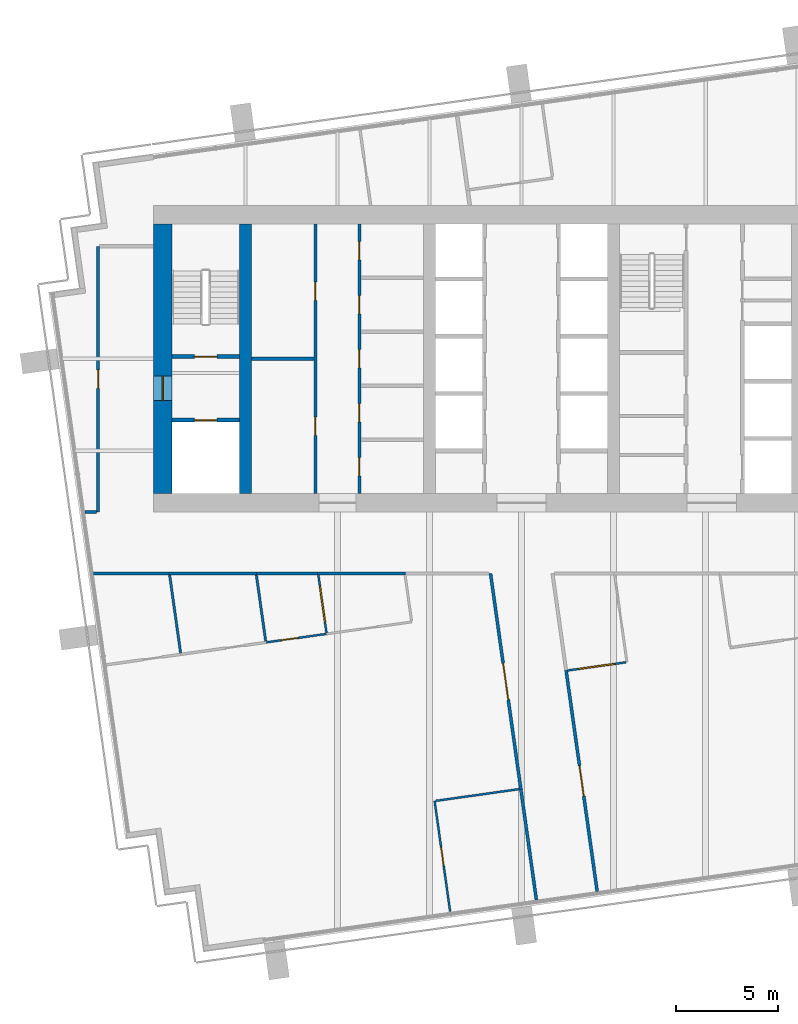
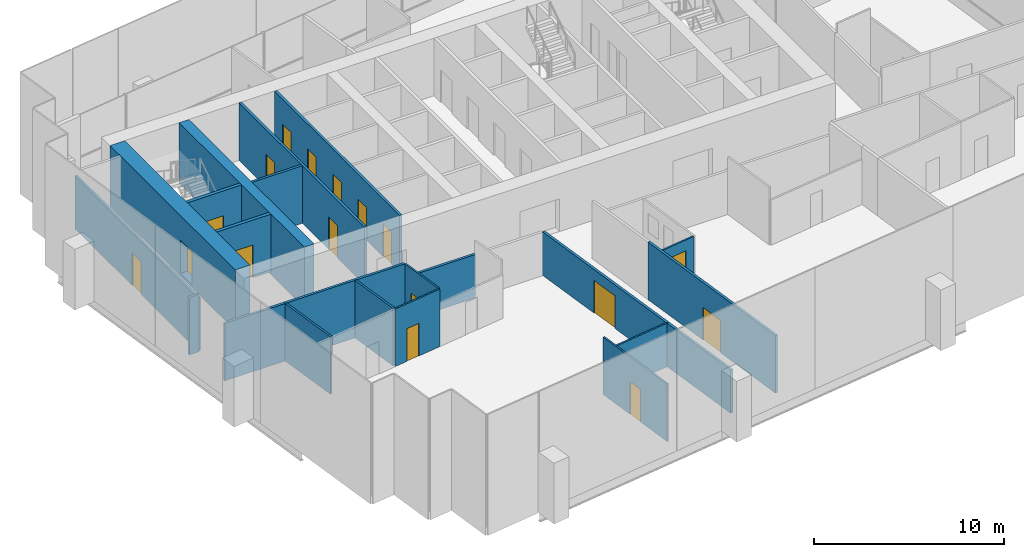
# One storey, part 9 of 17: 23 walls, 15 doors, 2 windows, 17 openings.
"""IFC4 building model written with IfcOpenShell, lengths in metres."""

import ifcopenshell
import ifcopenshell.guid

model = None  # the IFC model being written
_history = None  # IfcOwnerHistory: only IFC2X3 demands one
_inside = {}  # id of a spatial element -> (the spatial element, [elements in it])
_under = {}  # id of a project, library or spatial element -> (it, [spatial elements below it])
_declared = {}  # id of a project -> (the project, [libraries it declares])
_typed = {}  # id of a type object -> (the type object, [elements of that type])
_made_of = {}  # id of a material, layer set ... -> (it, [elements and type objects made of it])


def new_model(schema):
    """Start an empty IFC model of exactly this schema.

    Asked for "IFC4X3", IfcOpenShell would pick the latest addendum, in which some entities
    have other attributes; the version numbers below select the first issue.
    IFC2X3 requires an IfcOwnerHistory on every rooted entity: one is made here for all.
    """
    global model, _history
    if schema == "IFC4X3":
        model = ifcopenshell.file(schema_version=(4, 3, 0, 0))
    else:
        model = ifcopenshell.file(schema=schema)
    _inside.clear()
    _under.clear()
    _declared.clear()
    _typed.clear()
    _made_of.clear()
    _history = None
    if model.schema == "IFC2X3":
        org = make("IfcOrganization", Name="unknown")
        user = make(
            "IfcPersonAndOrganization",
            ThePerson=make("IfcPerson", FamilyName="unknown"),
            TheOrganization=org,
        )
        app = make(
            "IfcApplication",
            ApplicationDeveloper=org,
            Version="unknown",
            ApplicationFullName="unknown",
            ApplicationIdentifier="unknown",
        )
        _history = make(
            "IfcOwnerHistory",
            OwningUser=user,
            OwningApplication=app,
            ChangeAction="ADDED",
            CreationDate=0,
        )
    return model


def make(cls, **values):
    """One entity of the class cls with the attributes given. An attribute that is None is left unset."""
    return model.create_entity(
        cls, **{name: value for name, value in values.items() if value is not None}
    )


def rooted(cls, **values):
    """An entity with a GlobalId (a new one), such as an element, a storey or a relation."""
    return make(cls, GlobalId=ifcopenshell.guid.new(), OwnerHistory=_history, **values)


def si_unit(unit_type, name, prefix=None):
    """IfcSIUnit, for example si_unit("LENGTHUNIT", "METRE", prefix="MILLI")."""
    return make("IfcSIUnit", UnitType=unit_type, Prefix=prefix, Name=name)


def assignment(units):
    """IfcUnitAssignment: the units of a project."""
    return None if units is None else make("IfcUnitAssignment", Units=units)


def point(xyz):
    """IfcCartesianPoint."""
    return None if xyz is None else make("IfcCartesianPoint", Coordinates=xyz)


def direction(xyz):
    """IfcDirection."""
    return None if xyz is None else make("IfcDirection", DirectionRatios=xyz)


def frame(location, z_axis=None, x_axis=None):
    """IfcAxis2Placement3D, a coordinate frame: its origin and axes. An axis left out is left unset."""
    return make(
        "IfcAxis2Placement3D",
        Location=point(location),
        Axis=direction(z_axis),
        RefDirection=direction(x_axis),
    )


def frame_2d(location, x_axis=None):
    """IfcAxis2Placement2D, a coordinate frame in the plane: its origin and x axis."""
    return make(
        "IfcAxis2Placement2D", Location=point(location), RefDirection=direction(x_axis)
    )


def origin():
    """The frame at (0, 0, 0) with its axes left unset."""
    return frame((0.0, 0.0, 0.0))


def place(relative_to, where):
    """IfcLocalPlacement: puts the frame where relative to a parent placement (None: the world)."""
    return make(
        "IfcLocalPlacement", PlacementRelTo=relative_to, RelativePlacement=where
    )


def context(
    kind, dimensions, precision=None, world=None, true_north=None, identifier=None
):
    """IfcGeometricRepresentationContext, for example the 3D "Model" context."""
    return make(
        "IfcGeometricRepresentationContext",
        ContextIdentifier=identifier,
        ContextType=kind,
        CoordinateSpaceDimension=dimensions,
        Precision=precision,
        WorldCoordinateSystem=world,
        TrueNorth=true_north,
    )


def subcontext(parent, identifier, kind, view, scale=None):
    """IfcGeometricRepresentationSubContext, for example "Body" below "Model"."""
    return make(
        "IfcGeometricRepresentationSubContext",
        ContextIdentifier=identifier,
        ContextType=kind,
        ParentContext=parent,
        TargetScale=scale,
        TargetView=view,
    )


def project(units=None, contexts=None):
    """IfcProject with its units and contexts."""
    return rooted(
        "IfcProject",
        Name="project",
        RepresentationContexts=contexts,
        UnitsInContext=assignment(units),
    )


def spatial(cls, under=None, at=None, **own):
    """A site, building, storey or space (cls), placed at a placement, below another one or the project."""
    s = rooted(cls, ObjectPlacement=at, **own)
    if under is not None:
        _under.setdefault(under.id(), (under, []))[1].append(s)
    return s


def profile(cls, at=None, kind="AREA", **sizes):
    """A parametric profile (cls). Its sizes go by their IFC names, for example OverallWidth=200.0."""
    return make(cls, ProfileType=kind, Position=at, **sizes)


def rectangle(**sizes):
    """IfcRectangleProfileDef."""
    return profile("IfcRectangleProfileDef", **sizes)


def extrude(swept, where, along, depth):
    """IfcExtrudedAreaSolid: the profile swept, set in the frame where, extruded along a direction by depth."""
    return make(
        "IfcExtrudedAreaSolid",
        SweptArea=swept,
        Position=where,
        ExtrudedDirection=direction(along),
        Depth=depth,
    )


def shape(context_of_items, identifier, shape_type, items):
    """IfcShapeRepresentation: the items that make up one representation, for example the "Body"."""
    return make(
        "IfcShapeRepresentation",
        ContextOfItems=context_of_items,
        RepresentationIdentifier=identifier,
        RepresentationType=shape_type,
        Items=items,
    )


def material(Name=None, Category=None):
    """IfcMaterial."""
    return make("IfcMaterial", Name=Name, Category=Category)


def layer(
    of_material, thickness, ventilated=None, Name=None, Category=None, Priority=None
):
    """IfcMaterialLayer: one layer of a wall or slab, of a material (None: an air gap)."""
    return make(
        "IfcMaterialLayer",
        Material=of_material,
        LayerThickness=thickness,
        IsVentilated=ventilated,
        Name=Name,
        Category=Category,
        Priority=Priority,
    )


def layer_set(layers, Name=None):
    """IfcMaterialLayerSet."""
    return make("IfcMaterialLayerSet", MaterialLayers=layers, LayerSetName=Name)


def made_of(thing, what):
    """Note that an element or type object is made of a material, layer set ...; save() writes the relation."""
    if what is not None:
        _made_of.setdefault(what.id(), (what, []))[1].append(thing)
    return thing


def type_object(cls, material=None, **own):
    """A type object (cls), such as IfcWallType, which elements share."""
    return made_of(rooted(cls, **own), material)


def element(
    cls,
    number,
    at=None,
    inside=None,
    cuts=None,
    type_object=None,
    material=None,
    context=None,
    identifier="Body",
    shape_type=None,
    held_by="IfcProductDefinitionShape",
    body=None,
    shapes=None,
    **own,
):
    """One element of the class cls, such as IfcWall. Its Tag is "e" and its number.

    at: its placement. inside: the storey or other place that contains it. cuts: it is an
    opening in that element (IfcRelVoidsElement). A single representation is given by context,
    identifier, shape_type and body (its items); several are given by shapes. held_by: the class
    of the entity that holds the representations. save() writes the other relations.
    """
    e = rooted(cls, Tag="e%d" % number, ObjectPlacement=at, **own)
    if body is not None:
        shapes = [shape(context, identifier, shape_type, body)]
    if shapes is not None:
        e.Representation = make(held_by, Representations=shapes)
    if inside is not None:
        _inside.setdefault(inside.id(), (inside, []))[1].append(e)
    if cuts is not None:
        rooted(
            "IfcRelVoidsElement", RelatingBuildingElement=cuts, RelatedOpeningElement=e
        )
    if type_object is not None:
        _typed.setdefault(type_object.id(), (type_object, []))[1].append(e)
    return made_of(e, material)


def fill(opening, filler):
    """IfcRelFillsElement: the door or window that sits in an opening."""
    return rooted(
        "IfcRelFillsElement",
        RelatingOpeningElement=opening,
        RelatedBuildingElement=filler,
    )


def aggregate(whole, parts):
    """IfcRelAggregates: a whole, such as a stair, and the parts it consists of."""
    return rooted("IfcRelAggregates", RelatingObject=whole, RelatedObjects=parts)


def save(model, path):
    """Write the relations noted so far, then the file.

    IfcRelAggregates (storeys below a building ...), IfcRelContainedInSpatialStructure (elements
    in a storey), IfcRelDefinesByType, IfcRelAssociatesMaterial and IfcRelDeclares: one each for
    every whole, place, type object, material and project.
    """
    for whole, parts in _under.values():
        aggregate(whole, parts)
    for where, things in _inside.values():
        rooted(
            "IfcRelContainedInSpatialStructure",
            RelatedElements=things,
            RelatingStructure=where,
        )
    for kind, things in _typed.values():
        rooted("IfcRelDefinesByType", RelatedObjects=things, RelatingType=kind)
    for what, things in _made_of.values():
        rooted("IfcRelAssociatesMaterial", RelatedObjects=things, RelatingMaterial=what)
    for by, libraries in _declared.values():
        rooted("IfcRelDeclares", RelatingContext=by, RelatedDefinitions=libraries)
    model.write(path)


model = new_model("IFC4")

# Units and contexts
model_context = context("Model", 3, precision=1e-05, world=origin(), true_north=direction((0.0, 1.0)))
body_context = subcontext(model_context, "Body", "Model", "MODEL_VIEW")
ifc_project = project(units=[si_unit("LENGTHUNIT", "METRE"), si_unit("AREAUNIT", "SQUARE_METRE"), si_unit("VOLUMEUNIT", "CUBIC_METRE"), si_unit("PLANEANGLEUNIT", "RADIAN"), si_unit("MASSUNIT", "GRAM", prefix="KILO")], contexts=[model_context])

# Site, building, storey
site_placement = place(None, origin())
site = spatial("IfcSite", under=ifc_project, at=site_placement, CompositionType="ELEMENT")
building_placement = place(site_placement, origin())
building = spatial("IfcBuilding", under=site, at=building_placement, Name="Rattan Terrace Tower", CompositionType="ELEMENT")
storey_placement = place(building_placement, frame((0.0, 0.0, 225.199951171875)))
storey = spatial("IfcBuildingStorey", under=building, at=storey_placement, Name="L51", CompositionType="ELEMENT", Elevation=225.199951171875)

# Wall, openings, doors
ifc_material_1 = material(Name="Gypsum board partition")
ifc_layer_1 = layer(ifc_material_1, 0.14990234375)
ifc_layer_set_1 = layer_set([ifc_layer_1], Name="Core partition 150")
wall_type_1 = type_object("IfcWallType", Name="Core partition 150", PredefinedType="PARTITIONING", material=ifc_layer_set_1)
wall_1_placement = place(storey_placement, frame((-10.074951171875, -6.60009765625, 0.0), z_axis=(0.0, 0.0, 1.0), x_axis=(0.0, 1.0, 0.0)))
wall_1 = element("IfcWall", 1, at=wall_1_placement, inside=storey, type_object=wall_type_1, Name="Core room wall", PredefinedType="PARTITIONING", context=body_context, shape_type="SweptSolid", body=[
    extrude(rectangle(XDim=13.2001953125, YDim=0.14990234375, at=frame_2d((6.60009765625, 0.0))), origin(), (0.0, 0.0, 1.0), 3.699951171875),
])
opening_1_placement = place(wall_1_placement, frame((2.85009765625, 0.0, 0.0)))
opening_1 = element("IfcOpeningElement", 2, at=opening_1_placement, cuts=wall_1, Name="Opening L51-D005", PredefinedType="OPENING", context=body_context, shape_type="SweptSolid", body=[
    extrude(rectangle(XDim=0.89990234375, YDim=2.10009765625, at=frame_2d((0.449951171875, 1.050048828125))), frame((0.0, 0.08544921875, 0.0), z_axis=(0.0, -1.0, 0.0), x_axis=(1.0, 0.0, 0.0)), (0.0, 0.0, 1.0), 0.1708984375),
])
opening_2_placement = place(wall_1_placement, frame((9.449951171875, 0.0, 0.0)))
opening_2 = element("IfcOpeningElement", 3, at=opening_2_placement, cuts=wall_1, Name="Opening L51-D006", PredefinedType="OPENING", context=body_context, shape_type="SweptSolid", body=[
    extrude(rectangle(XDim=0.89990234375, YDim=2.10009765625, at=frame_2d((0.449951171875, 1.050048828125))), frame((0.0, 0.08544921875, 0.0), z_axis=(0.0, -1.0, 0.0), x_axis=(1.0, 0.0, 0.0)), (0.0, 0.0, 1.0), 0.1708984375),
])
ifc_material_2 = material(Name="Hollow-metal fire door leaf")
door_type_1 = type_object("IfcDoorType", Name="Core service room door 900", OperationType="NOTDEFINED", PredefinedType="DOOR", material=ifc_material_2)
door_1_placement = place(opening_1_placement, origin())
door_1 = element("IfcDoor", 4, at=door_1_placement, inside=storey, type_object=door_type_1, Name="Door L51-D005", OperationType="SINGLE_SWING_LEFT", OverallHeight=2.10009765625, OverallWidth=0.89990234375, PredefinedType="DOOR", context=body_context, shape_type="SweptSolid", body=[
    extrude(rectangle(XDim=0.89990234375, YDim=2.10009765625, at=frame_2d((0.449951171875, 1.050048828125))), frame((0.0, 0.02490234375, 0.0), z_axis=(0.0, -1.0, 0.0), x_axis=(1.0, 0.0, 0.0)), (0.0, 0.0, 1.0), 0.050048828125),
])
fill(opening_1, door_1)
door_2_placement = place(opening_2_placement, origin())
door_2 = element("IfcDoor", 5, at=door_2_placement, inside=storey, type_object=door_type_1, Name="Door L51-D006", OperationType="SINGLE_SWING_RIGHT", OverallHeight=2.10009765625, OverallWidth=0.89990234375, PredefinedType="DOOR", context=body_context, shape_type="SweptSolid", body=[
    extrude(rectangle(XDim=0.89990234375, YDim=2.10009765625, at=frame_2d((0.449951171875, 1.050048828125))), frame((0.0, 0.02490234375, 0.0), z_axis=(0.0, -1.0, 0.0), x_axis=(1.0, 0.0, 0.0)), (0.0, 0.0, 1.0), 0.050048828125),
])
fill(opening_2, door_2)

# Wall
wall_2_placement = place(storey_placement, frame((-13.199951171875, 0.0, 0.0), z_axis=(0.0, 0.0, 1.0), x_axis=(1.0, 0.0, 0.0)))
element("IfcWall", 6, at=wall_2_placement, inside=storey, type_object=wall_type_1, Name="Core room wall", PredefinedType="PARTITIONING", context=body_context, shape_type="SweptSolid", body=[
    extrude(rectangle(XDim=3.050048828125, YDim=0.14990234375, at=frame_2d((1.52490234375, 0.0))), origin(), (0.0, 0.0, 1.0), 3.699951171875),
])

# Wall, openings, doors
wall_3_placement = place(storey_placement, frame((-7.925048828125, -6.60009765625, 0.0), z_axis=(0.0, 0.0, 1.0), x_axis=(0.0, 1.0, 0.0)))
wall_3 = element("IfcWall", 7, at=wall_3_placement, inside=storey, type_object=wall_type_1, Name="Core room wall", PredefinedType="PARTITIONING", context=body_context, shape_type="SweptSolid", body=[
    extrude(rectangle(XDim=13.2001953125, YDim=0.14990234375, at=frame_2d((6.60009765625, 0.0))), origin(), (0.0, 0.0, 1.0), 3.699951171875),
])
opening_3_placement = place(wall_3_placement, frame((0.8701171875, 0.0, 0.0)))
opening_3 = element("IfcOpeningElement", 8, at=opening_3_placement, cuts=wall_3, Name="Opening L51-D007", PredefinedType="OPENING", context=body_context, shape_type="SweptSolid", body=[
    extrude(rectangle(XDim=0.89990234375, YDim=2.10009765625, at=frame_2d((0.449951171875, 1.050048828125))), frame((0.0, 0.08544921875, 0.0), z_axis=(0.0, -1.0, 0.0), x_axis=(1.0, 0.0, 0.0)), (0.0, 0.0, 1.0), 0.1708984375),
])
opening_4_placement = place(wall_3_placement, frame((3.510009765625, 0.0, 0.0)))
opening_4 = element("IfcOpeningElement", 9, at=opening_4_placement, cuts=wall_3, Name="Opening L51-D008", PredefinedType="OPENING", context=body_context, shape_type="SweptSolid", body=[
    extrude(rectangle(XDim=0.89990234375, YDim=2.10009765625, at=frame_2d((0.449951171875, 1.050048828125))), frame((0.0, 0.08544921875, 0.0), z_axis=(0.0, -1.0, 0.0), x_axis=(1.0, 0.0, 0.0)), (0.0, 0.0, 1.0), 0.1708984375),
])
opening_5_placement = place(wall_3_placement, frame((6.14990234375, 0.0, 0.0)))
opening_5 = element("IfcOpeningElement", 10, at=opening_5_placement, cuts=wall_3, Name="Opening L51-D009", PredefinedType="OPENING", context=body_context, shape_type="SweptSolid", body=[
    extrude(rectangle(XDim=0.89990234375, YDim=2.10009765625, at=frame_2d((0.449951171875, 1.050048828125))), frame((0.0, 0.08544921875, 0.0), z_axis=(0.0, -1.0, 0.0), x_axis=(1.0, 0.0, 0.0)), (0.0, 0.0, 1.0), 0.1708984375),
])
opening_6_placement = place(wall_3_placement, frame((8.7900390625, 0.0, 0.0)))
opening_6 = element("IfcOpeningElement", 11, at=opening_6_placement, cuts=wall_3, Name="Opening L51-D010", PredefinedType="OPENING", context=body_context, shape_type="SweptSolid", body=[
    extrude(rectangle(XDim=0.89990234375, YDim=2.10009765625, at=frame_2d((0.449951171875, 1.050048828125))), frame((0.0, 0.08544921875, 0.0), z_axis=(0.0, -1.0, 0.0), x_axis=(1.0, 0.0, 0.0)), (0.0, 0.0, 1.0), 0.1708984375),
])
opening_7_placement = place(wall_3_placement, frame((11.429931640625, 0.0, 0.0)))
opening_7 = element("IfcOpeningElement", 12, at=opening_7_placement, cuts=wall_3, Name="Opening L51-D011", PredefinedType="OPENING", context=body_context, shape_type="SweptSolid", body=[
    extrude(rectangle(XDim=0.89990234375, YDim=2.10009765625, at=frame_2d((0.449951171875, 1.050048828125))), frame((0.0, 0.08544921875, 0.0), z_axis=(0.0, -1.0, 0.0), x_axis=(1.0, 0.0, 0.0)), (0.0, 0.0, 1.0), 0.1708984375),
])
door_3_placement = place(opening_3_placement, origin())
door_3 = element("IfcDoor", 13, at=door_3_placement, inside=storey, type_object=door_type_1, Name="Door L51-D007", OperationType="SINGLE_SWING_LEFT", OverallHeight=2.10009765625, OverallWidth=0.89990234375, PredefinedType="DOOR", context=body_context, shape_type="SweptSolid", body=[
    extrude(rectangle(XDim=0.89990234375, YDim=2.10009765625, at=frame_2d((0.449951171875, 1.050048828125))), frame((0.0, 0.02490234375, 0.0), z_axis=(0.0, -1.0, 0.0), x_axis=(1.0, 0.0, 0.0)), (0.0, 0.0, 1.0), 0.050048828125),
])
fill(opening_3, door_3)
door_4_placement = place(opening_4_placement, origin())
door_4 = element("IfcDoor", 14, at=door_4_placement, inside=storey, type_object=door_type_1, Name="Door L51-D008", OperationType="SINGLE_SWING_RIGHT", OverallHeight=2.10009765625, OverallWidth=0.89990234375, PredefinedType="DOOR", context=body_context, shape_type="SweptSolid", body=[
    extrude(rectangle(XDim=0.89990234375, YDim=2.10009765625, at=frame_2d((0.449951171875, 1.050048828125))), frame((0.0, 0.02490234375, 0.0), z_axis=(0.0, -1.0, 0.0), x_axis=(1.0, 0.0, 0.0)), (0.0, 0.0, 1.0), 0.050048828125),
])
fill(opening_4, door_4)
door_5_placement = place(opening_5_placement, origin())
door_5 = element("IfcDoor", 15, at=door_5_placement, inside=storey, type_object=door_type_1, Name="Door L51-D009", OperationType="SINGLE_SWING_LEFT", OverallHeight=2.10009765625, OverallWidth=0.89990234375, PredefinedType="DOOR", context=body_context, shape_type="SweptSolid", body=[
    extrude(rectangle(XDim=0.89990234375, YDim=2.10009765625, at=frame_2d((0.449951171875, 1.050048828125))), frame((0.0, 0.02490234375, 0.0), z_axis=(0.0, -1.0, 0.0), x_axis=(1.0, 0.0, 0.0)), (0.0, 0.0, 1.0), 0.050048828125),
])
fill(opening_5, door_5)
door_6_placement = place(opening_6_placement, origin())
door_6 = element("IfcDoor", 16, at=door_6_placement, inside=storey, type_object=door_type_1, Name="Door L51-D010", OperationType="SINGLE_SWING_RIGHT", OverallHeight=2.10009765625, OverallWidth=0.89990234375, PredefinedType="DOOR", context=body_context, shape_type="SweptSolid", body=[
    extrude(rectangle(XDim=0.89990234375, YDim=2.10009765625, at=frame_2d((0.449951171875, 1.050048828125))), frame((0.0, 0.02490234375, 0.0), z_axis=(0.0, -1.0, 0.0), x_axis=(1.0, 0.0, 0.0)), (0.0, 0.0, 1.0), 0.050048828125),
])
fill(opening_6, door_6)
door_7_placement = place(opening_7_placement, origin())
door_7 = element("IfcDoor", 17, at=door_7_placement, inside=storey, type_object=door_type_1, Name="Door L51-D011", OperationType="SINGLE_SWING_LEFT", OverallHeight=2.10009765625, OverallWidth=0.89990234375, PredefinedType="DOOR", context=body_context, shape_type="SweptSolid", body=[
    extrude(rectangle(XDim=0.89990234375, YDim=2.10009765625, at=frame_2d((0.449951171875, 1.050048828125))), frame((0.0, 0.02490234375, 0.0), z_axis=(0.0, -1.0, 0.0), x_axis=(1.0, 0.0, 0.0)), (0.0, 0.0, 1.0), 0.050048828125),
])
fill(opening_7, door_7)

# Wall, opening, door
ifc_material_3 = material(Name="Gypsum board partition")
ifc_layer_2 = layer(ifc_material_3, 0.199951171875)
ifc_layer_set_2 = layer_set([ifc_layer_2], Name="Core partition 200")
wall_type_2 = type_object("IfcWallType", Name="Core partition 200", PredefinedType="PARTITIONING", material=ifc_layer_set_2)
wall_4_placement = place(storey_placement, frame((-17.10009765625, -3.0, 0.0), z_axis=(0.0, 0.0, 1.0), x_axis=(1.0, 0.0, 0.0)))
wall_4 = element("IfcWall", 18, at=wall_4_placement, inside=storey, type_object=wall_type_2, Name="Fire-fighting lobby wall", PredefinedType="PARTITIONING", context=body_context, shape_type="SweptSolid", body=[
    extrude(rectangle(XDim=3.300048828125, YDim=0.199951171875, at=frame_2d((1.64990234375, 0.0))), origin(), (0.0, 0.0, 1.0), 3.699951171875),
])
opening_8_placement = place(wall_4_placement, frame((1.10009765625, 0.0, 0.0)))
opening_8 = element("IfcOpeningElement", 19, at=opening_8_placement, cuts=wall_4, Name="Opening L51-LD-FF1", PredefinedType="OPENING", context=body_context, shape_type="SweptSolid", body=[
    extrude(rectangle(XDim=1.10009765625, YDim=2.10009765625, at=frame_2d((0.550048828125, 1.050048828125))), frame((0.0, 0.110595703125, 0.0), z_axis=(0.0, -1.0, 0.0), x_axis=(1.0, 0.0, 0.0)), (0.0, 0.0, 1.0), 0.220947265625),
])
ifc_material_4 = material(Name="Brushed stainless landing door panel")
door_type_2 = type_object("IfcDoorType", Name="Core lift landing door 1100", OperationType="DOUBLE_DOOR_SLIDING", PredefinedType="DOOR", material=ifc_material_4)
door_8_placement = place(opening_8_placement, origin())
door_8 = element("IfcDoor", 20, at=door_8_placement, inside=storey, type_object=door_type_2, Name="Door L51-LD-FF1", OperationType="DOUBLE_DOOR_SLIDING", OverallHeight=2.10009765625, OverallWidth=1.10009765625, PredefinedType="DOOR", context=body_context, shape_type="SweptSolid", body=[
    extrude(rectangle(XDim=1.10009765625, YDim=2.10009765625, at=frame_2d((0.550048828125, 1.050048828125))), frame((0.0, 0.02490234375, 0.0), z_axis=(0.0, -1.0, 0.0), x_axis=(1.0, 0.0, 0.0)), (0.0, 0.0, 1.0), 0.050048828125),
])
fill(opening_8, door_8)

wall_5_placement = place(storey_placement, frame((-17.10009765625, 0.10009765625, 0.0), z_axis=(0.0, 0.0, 1.0), x_axis=(1.0, 0.0, 0.0)))
wall_5 = element("IfcWall", 21, at=wall_5_placement, inside=storey, type_object=wall_type_2, Name="Stair enclosure wall", PredefinedType="PARTITIONING", context=body_context, shape_type="SweptSolid", body=[
    extrude(rectangle(XDim=3.300048828125, YDim=0.199951171875, at=frame_2d((1.64990234375, 0.0))), origin(), (0.0, 0.0, 1.0), 3.699951171875),
])
opening_9_placement = place(wall_5_placement, frame((1.10009765625, 0.0, 0.0)))
opening_9 = element("IfcOpeningElement", 22, at=opening_9_placement, cuts=wall_5, Name="Opening L51-D002", PredefinedType="OPENING", context=body_context, shape_type="SweptSolid", body=[
    extrude(rectangle(XDim=1.10009765625, YDim=2.10009765625, at=frame_2d((0.550048828125, 1.050048828125))), frame((0.0, 0.110595703125, 0.0), z_axis=(0.0, -1.0, 0.0), x_axis=(1.0, 0.0, 0.0)), (0.0, 0.0, 1.0), 0.220947265625),
])
ifc_material_5 = material(Name="Hollow-metal fire door leaf")
door_type_3 = type_object("IfcDoorType", Name="Core stair door 1100", OperationType="NOTDEFINED", PredefinedType="DOOR", material=ifc_material_5)
door_9_placement = place(opening_9_placement, origin())
door_9 = element("IfcDoor", 23, at=door_9_placement, inside=storey, type_object=door_type_3, Name="Door L51-D002", OperationType="SINGLE_SWING_RIGHT", OverallHeight=2.10009765625, OverallWidth=1.10009765625, PredefinedType="DOOR", context=body_context, shape_type="SweptSolid", body=[
    extrude(rectangle(XDim=1.10009765625, YDim=2.10009765625, at=frame_2d((0.550048828125, 1.050048828125))), frame((0.0, 0.02490234375, 0.0), z_axis=(0.0, -1.0, 0.0), x_axis=(1.0, 0.0, 0.0)), (0.0, 0.0, 1.0), 0.050048828125),
])
fill(opening_9, door_9)

ifc_material_6 = material(Name="Concrete C50/60", Category="concrete")
ifc_layer_3 = layer(ifc_material_6, 0.89990234375)
ifc_layer_set_3 = layer_set([ifc_layer_3], Name="Core ring wall 900 C50/60")
wall_type_3 = type_object("IfcWallType", Name="Core ring wall 900 C50/60", PredefinedType="SHEAR", material=ifc_layer_set_3)
wall_6_placement = place(storey_placement, frame((-17.550048828125, -6.60009765625, -0.199951171875), z_axis=(0.0, 0.0, 1.0), x_axis=(0.0, 1.0, 0.0)))
wall_6 = element("IfcWall", 24, at=wall_6_placement, inside=storey, type_object=wall_type_3, Name="Rear core wall west", PredefinedType="SHEAR", context=body_context, shape_type="SweptSolid", body=[
    extrude(rectangle(XDim=13.2001953125, YDim=0.89990234375, at=frame_2d((6.60009765625, 0.0))), origin(), (0.0, 0.0, 1.0), 3.89990234375),
])
opening_10_placement = place(wall_6_placement, frame((4.550048828125, 0.0, 0.199951171875)))
opening_10 = element("IfcOpeningElement", 25, at=opening_10_placement, cuts=wall_6, Name="Opening L51-D001", PredefinedType="OPENING", context=body_context, shape_type="SweptSolid", body=[
    extrude(rectangle(XDim=1.199951171875, YDim=2.10009765625, at=frame_2d((0.60009765625, 1.050048828125))), frame((0.0, 0.46044921875, 0.0), z_axis=(0.0, -1.0, 0.0), x_axis=(1.0, 0.0, 0.0)), (0.0, 0.0, 1.0), 0.9208984375),
])
ifc_material_7 = material(Name="Hollow-metal fire door leaf")
door_type_4 = type_object("IfcDoorType", Name="Core fire-fighting lobby door 1200", OperationType="NOTDEFINED", PredefinedType="DOOR", material=ifc_material_7)
door_10_placement = place(opening_10_placement, origin())
door_10 = element("IfcDoor", 26, at=door_10_placement, inside=storey, type_object=door_type_4, Name="Door L51-D001", OperationType="SINGLE_SWING_LEFT", OverallHeight=2.10009765625, OverallWidth=1.199951171875, PredefinedType="DOOR", context=body_context, shape_type="SweptSolid", body=[
    extrude(rectangle(XDim=1.199951171875, YDim=2.10009765625, at=frame_2d((0.60009765625, 1.050048828125))), frame((0.0, 0.02490234375, 0.0), z_axis=(0.0, -1.0, 0.0), x_axis=(1.0, 0.0, 0.0)), (0.0, 0.0, 1.0), 0.050048828125),
])
fill(opening_10, door_10)

# Wall
ifc_material_8 = material(Name="Concrete C50/60", Category="concrete")
ifc_layer_4 = layer(ifc_material_8, 0.60009765625)
ifc_layer_set_4 = layer_set([ifc_layer_4], Name="Core spine wall 600 C50/60")
wall_type_4 = type_object("IfcWallType", Name="Core spine wall 600 C50/60", PredefinedType="SHEAR", material=ifc_layer_set_4)
wall_7_placement = place(storey_placement, frame((-13.5, -6.60009765625, -0.199951171875), z_axis=(0.0, 0.0, 1.0), x_axis=(0.0, 1.0, 0.0)))
element("IfcWall", 27, at=wall_7_placement, inside=storey, type_object=wall_type_4, Name="Core spine wall 1", PredefinedType="SHEAR", context=body_context, shape_type="SweptSolid", body=[
    extrude(rectangle(XDim=13.2001953125, YDim=0.60009765625, at=frame_2d((6.60009765625, 0.0))), origin(), (0.0, 0.0, 1.0), 3.89990234375),
])

# Wall, opening, door
ifc_material_9 = material(Name="Gypsum board partition on steel studs", Category="steel")
ifc_layer_5 = layer(ifc_material_9, 0.10009765625)
ifc_layer_set_5 = layer_set([ifc_layer_5], Name="Floors Partition 100")
wall_type_5 = type_object("IfcWallType", Name="Floors Partition 100", PredefinedType="PARTITIONING", material=ifc_layer_set_5)
wall_8_placement = place(storey_placement, frame((-4.2490234375, -21.625, 0.0), z_axis=(0.0, 0.0, 1.0), x_axis=(0.13906298859, -0.990283537783, 0.0)))
wall_8 = element("IfcWall", 28, at=wall_8_placement, inside=storey, type_object=wall_type_5, Name="pt-L51-025", PredefinedType="PARTITIONING", context=body_context, shape_type="SweptSolid", body=[
    extrude(rectangle(XDim=5.479248046875, YDim=0.10009765625, at=frame_2d((2.73974609375, 0.0))), origin(), (0.0, 0.0, 1.0), 3.699951171875),
])
opening_11_placement = place(wall_8_placement, frame((2.2900390625, 0.0, 0.0)))
opening_11 = element("IfcOpeningElement", 29, at=opening_11_placement, cuts=wall_8, Name="Opening L51-D101", PredefinedType="OPENING", context=body_context, shape_type="SweptSolid", body=[
    extrude(rectangle(XDim=0.89990234375, YDim=2.10009765625, at=frame_2d((0.449951171875, 1.050048828125))), frame((0.0, 0.060546875, 0.0), z_axis=(0.0, -1.0, 0.0), x_axis=(1.0, 0.0, 0.0)), (0.0, 0.0, 1.0), 0.12109375),
])
ifc_material_10 = material(Name="Solid core timber door, painted", Category="wood")
door_type_5 = type_object("IfcDoorType", Name="Floors Door 900x2100", OperationType="NOTDEFINED", PredefinedType="DOOR", material=ifc_material_10)
door_11_placement = place(opening_11_placement, origin())
door_11 = element("IfcDoor", 30, at=door_11_placement, inside=storey, type_object=door_type_5, Name="d-L51-101", OperationType="SINGLE_SWING_RIGHT", OverallHeight=2.10009765625, OverallWidth=0.89990234375, PredefinedType="DOOR", context=body_context, shape_type="SweptSolid", body=[
    extrude(rectangle(XDim=0.89990234375, YDim=2.10009765625, at=frame_2d((0.449951171875, 1.050048828125))), frame((0.0, 0.02490234375, 0.0), z_axis=(0.0, -1.0, 0.0), x_axis=(1.0, 0.0, 0.0)), (0.0, 0.0, 1.0), 0.050048828125),
])
fill(opening_11, door_11)

# Wall
wall_9_placement = place(storey_placement, frame((-0.10888671875, -21.04296875, 0.0), z_axis=(0.0, 0.0, 1.0), x_axis=(-0.990263837068, -0.139203207563, 0.0)))
element("IfcWall", 31, at=wall_9_placement, inside=storey, type_object=wall_type_5, Name="pt-L51-026", PredefinedType="PARTITIONING", context=body_context, shape_type="SweptSolid", body=[
    extrude(rectangle(XDim=4.13037109375, YDim=0.10009765625, at=frame_2d((2.065185546875, 0.0))), origin(), (0.0, 0.0, 1.0), 2.800048828125),
])

# Wall, opening, door
wall_10_placement = place(storey_placement, frame((-12.47998046875, -13.867919921875, 0.0), z_axis=(0.0, 0.0, 1.0), x_axis=(0.990270259545, 0.139157511691, 0.0)))
wall_10 = element("IfcWall", 32, at=wall_10_placement, inside=storey, type_object=wall_type_5, Name="pt-L51-029", PredefinedType="PARTITIONING", context=body_context, shape_type="SweptSolid", body=[
    extrude(rectangle(XDim=2.959716796875, YDim=0.10009765625, at=frame_2d((1.47998046875, 0.0))), origin(), (0.0, 0.0, 1.0), 3.699951171875),
])
opening_12_placement = place(wall_10_placement, frame((0.748046875, 0.0, 0.0)))
opening_12 = element("IfcOpeningElement", 33, at=opening_12_placement, cuts=wall_10, Name="Opening L51-D104", PredefinedType="OPENING", context=body_context, shape_type="SweptSolid", body=[
    extrude(rectangle(XDim=0.800048828125, YDim=2.10009765625, at=frame_2d((0.39990234375, 1.050048828125))), frame((0.0, 0.060546875, 0.0), z_axis=(0.0, -1.0, 0.0), x_axis=(1.0, 0.0, 0.0)), (0.0, 0.0, 1.0), 0.12109375),
])
ifc_material_11 = material(Name="Solid core timber door, painted", Category="wood")
door_type_6 = type_object("IfcDoorType", Name="Floors Store Door 800x2100", OperationType="NOTDEFINED", PredefinedType="DOOR", material=ifc_material_11)
door_12_placement = place(opening_12_placement, origin())
door_12 = element("IfcDoor", 34, at=door_12_placement, inside=storey, type_object=door_type_6, Name="d-L51-104", OperationType="SINGLE_SWING_LEFT", OverallHeight=2.10009765625, OverallWidth=0.800048828125, PredefinedType="DOOR", context=body_context, shape_type="SweptSolid", body=[
    extrude(rectangle(XDim=0.800048828125, YDim=2.10009765625, at=frame_2d((0.39990234375, 1.050048828125))), frame((0.0, 0.02490234375, 0.0), z_axis=(0.0, -1.0, 0.0), x_axis=(1.0, 0.0, 0.0)), (0.0, 0.0, 1.0), 0.050048828125),
])
fill(opening_12, door_12)

# Wall, opening, window
wall_11_placement = place(storey_placement, frame((-9.93408203125, -10.568115234375, 0.0), z_axis=(0.0, 0.0, 1.0), x_axis=(0.139092802353, -0.990279350655, 0.0)))
wall_11 = element("IfcWall", 35, at=wall_11_placement, inside=storey, type_object=wall_type_5, Name="pt-L51-034", PredefinedType="PARTITIONING", context=body_context, shape_type="SweptSolid", body=[
    extrude(rectangle(XDim=2.86279296875, YDim=0.10009765625, at=frame_2d((1.431396484375, 0.0))), origin(), (0.0, 0.0, 1.0), 3.699951171875),
])
opening_13_placement = place(wall_11_placement, frame((0.5400390625, 0.0, 0.89990234375)))
opening_13 = element("IfcOpeningElement", 36, at=opening_13_placement, cuts=wall_11, Name="Opening L51-W100", PredefinedType="OPENING", context=body_context, shape_type="SweptSolid", body=[
    extrude(rectangle(XDim=1.800048828125, YDim=1.199951171875, at=frame_2d((0.89990234375, 0.60009765625))), frame((0.0, 0.060546875, 0.0), z_axis=(0.0, -1.0, 0.0), x_axis=(1.0, 0.0, 0.0)), (0.0, 0.0, 1.0), 0.12109375),
])
ifc_material_12 = material(Name="Glass, clear, fixed in aluminium frame", Category="aluminium")
window_type = type_object("IfcWindowType", Name="Interior Vision Window 1800x1200", PartitioningType="SINGLE_PANEL", PredefinedType="WINDOW", material=ifc_material_12)
window_1_placement = place(opening_13_placement, origin())
window_1 = element("IfcWindow", 37, at=window_1_placement, inside=storey, type_object=window_type, Name="w-L51-100", OverallHeight=1.199951171875, OverallWidth=1.800048828125, PartitioningType="SINGLE_PANEL", PredefinedType="WINDOW", context=body_context, shape_type="SweptSolid", body=[
    extrude(rectangle(XDim=1.800048828125, YDim=1.199951171875, at=frame_2d((0.89990234375, 0.60009765625))), frame((0.0, 0.030029296875, 0.0), z_axis=(0.0, -1.0, 0.0), x_axis=(1.0, 0.0, 0.0)), (0.0, 0.0, 1.0), 0.06005859375),
])
fill(opening_13, window_1)

wall_12_placement = place(storey_placement, frame((2.258056640625, -15.242919921875, 0.0), z_axis=(0.0, 0.0, 1.0), x_axis=(0.990271399447, 0.139149399699, 0.0)))
wall_12 = element("IfcWall", 38, at=wall_12_placement, inside=storey, type_object=wall_type_5, Name="pt-L51-035", PredefinedType="PARTITIONING", context=body_context, shape_type="SweptSolid", body=[
    extrude(rectangle(XDim=2.8740234375, YDim=0.10009765625, at=frame_2d((1.43701171875, 0.0))), origin(), (0.0, 0.0, 1.0), 2.800048828125),
])
opening_14_placement = place(wall_12_placement, frame((0.537109375, 0.0, 0.89990234375)))
opening_14 = element("IfcOpeningElement", 39, at=opening_14_placement, cuts=wall_12, Name="Opening L51-W101", PredefinedType="OPENING", context=body_context, shape_type="SweptSolid", body=[
    extrude(rectangle(XDim=1.800048828125, YDim=1.199951171875, at=frame_2d((0.89990234375, 0.60009765625))), frame((0.0, 0.060546875, 0.0), z_axis=(0.0, -1.0, 0.0), x_axis=(1.0, 0.0, 0.0)), (0.0, 0.0, 1.0), 0.12109375),
])
window_2_placement = place(opening_14_placement, origin())
window_2 = element("IfcWindow", 40, at=window_2_placement, inside=storey, type_object=window_type, Name="w-L51-101", OverallHeight=1.199951171875, OverallWidth=1.800048828125, PartitioningType="SINGLE_PANEL", PredefinedType="WINDOW", context=body_context, shape_type="SweptSolid", body=[
    extrude(rectangle(XDim=1.800048828125, YDim=1.199951171875, at=frame_2d((0.89990234375, 0.60009765625))), frame((0.0, 0.030029296875, 0.0), z_axis=(0.0, -1.0, 0.0), x_axis=(1.0, 0.0, 0.0)), (0.0, 0.0, 1.0), 0.06005859375),
])
fill(opening_14, window_2)

# Wall, opening, door
ifc_material_13 = material(Name="Gypsum board partition on steel studs, fire rated", Category="steel")
ifc_layer_6 = layer(ifc_material_13, 0.14990234375)
ifc_layer_set_6 = layer_set([ifc_layer_6], Name="Floors Tenancy Wall 150")
wall_type_6 = type_object("IfcWallType", Name="Floors Tenancy Wall 150", PredefinedType="PARTITIONING", material=ifc_layer_set_6)
wall_13_placement = place(storey_placement, frame((-0.031982421875, -21.052978515625, 0.0), z_axis=(0.0, 0.0, 1.0), x_axis=(-0.139153385275, 0.9902708394, 0.0)))
wall_13 = element("IfcWall", 41, at=wall_13_placement, inside=storey, type_object=wall_type_6, Name="pt-L51-002", PredefinedType="PARTITIONING", context=body_context, shape_type="SweptSolid", body=[
    extrude(rectangle(XDim=10.65673828125, YDim=0.14990234375, at=frame_2d((5.328369140625, 0.0))), origin(), (0.0, 0.0, 1.0), 2.800048828125),
])
opening_15_placement = place(wall_13_placement, frame((4.427978515625, 0.0, 0.0)))
opening_15 = element("IfcOpeningElement", 42, at=opening_15_placement, cuts=wall_13, Name="Opening L51-D100", PredefinedType="OPENING", context=body_context, shape_type="SweptSolid", body=[
    extrude(rectangle(XDim=1.800048828125, YDim=2.10009765625, at=frame_2d((0.89990234375, 1.050048828125))), frame((0.0, 0.08544921875, 0.0), z_axis=(0.0, -1.0, 0.0), x_axis=(1.0, 0.0, 0.0)), (0.0, 0.0, 1.0), 0.1708984375),
])
ifc_material_14 = material(Name="Steel fire door set", Category="steel")
door_type_7 = type_object("IfcDoorType", Name="Floors Fire Door Pair FD30S 1800x2100", OperationType="NOTDEFINED", PredefinedType="DOOR", material=ifc_material_14)
door_13_placement = place(opening_15_placement, origin())
door_13 = element("IfcDoor", 43, at=door_13_placement, inside=storey, type_object=door_type_7, Name="d-L51-100", OperationType="DOUBLE_DOOR_SINGLE_SWING", OverallHeight=2.10009765625, OverallWidth=1.800048828125, PredefinedType="DOOR", context=body_context, shape_type="SweptSolid", body=[
    extrude(rectangle(XDim=1.800048828125, YDim=2.10009765625, at=frame_2d((0.89990234375, 1.050048828125))), frame((0.0, 0.02490234375, 0.0), z_axis=(0.0, -1.0, 0.0), x_axis=(1.0, 0.0, 0.0)), (0.0, 0.0, 1.0), 0.050048828125),
])
fill(opening_15, door_13)

# Walls
wall_14_placement = place(storey_placement, frame((0.72802734375, -26.4599609375, 0.0), z_axis=(0.0, 0.0, 1.0), x_axis=(-0.139192487281, 0.990265343978, 0.0)))
element("IfcWall", 44, at=wall_14_placement, inside=storey, type_object=wall_type_6, Name="pt-L51-003", PredefinedType="PARTITIONING", context=body_context, shape_type="SweptSolid", body=[
    extrude(rectangle(XDim=5.460205078125, YDim=0.14990234375, at=frame_2d((2.72998046875, 0.0))), origin(), (0.0, 0.0, 1.0), 2.800048828125),
])
wall_15_placement = place(storey_placement, frame((-17.235107421875, -10.5, 0.0), z_axis=(0.0, 0.0, 1.0), x_axis=(-1.0, 0.0, 0.0)))
element("IfcWall", 45, at=wall_15_placement, inside=storey, type_object=wall_type_6, Name="pt-L51-004", PredefinedType="PARTITIONING", context=body_context, shape_type="SweptSolid", body=[
    extrude(rectangle(XDim=3.69482421875, YDim=0.14990234375, at=frame_2d((1.847412109375, 0.0))), origin(), (0.0, 0.0, 1.0), 3.699951171875),
])
wall_16_placement = place(storey_placement, frame((-12.9541015625, -10.5, 0.0), z_axis=(0.0, 0.0, 1.0), x_axis=(-1.0, 0.0, 0.0)))
element("IfcWall", 46, at=wall_16_placement, inside=storey, type_object=wall_type_6, Name="pt-L51-005", PredefinedType="PARTITIONING", context=body_context, shape_type="SweptSolid", body=[
    extrude(rectangle(XDim=4.281005859375, YDim=0.14990234375, at=frame_2d((2.140625, 0.0))), origin(), (0.0, 0.0, 1.0), 3.699951171875),
])
wall_17_placement = place(storey_placement, frame((-9.964111328125, -10.5, 0.0), z_axis=(0.0, 0.0, 1.0), x_axis=(-1.0, 0.0, 0.0)))
element("IfcWall", 47, at=wall_17_placement, inside=storey, type_object=wall_type_6, Name="pt-L51-006", PredefinedType="PARTITIONING", context=body_context, shape_type="SweptSolid", body=[
    extrude(rectangle(XDim=2.989990234375, YDim=0.14990234375, at=frame_2d((1.4951171875, 0.0))), origin(), (0.0, 0.0, 1.0), 3.699951171875),
])
wall_18_placement = place(storey_placement, frame((-5.68310546875, -10.5, 0.0), z_axis=(0.0, 0.0, 1.0), x_axis=(-1.0, 0.0, 0.0)))
element("IfcWall", 48, at=wall_18_placement, inside=storey, type_object=wall_type_6, Name="pt-L51-007", PredefinedType="PARTITIONING", context=body_context, shape_type="SweptSolid", body=[
    extrude(rectangle(XDim=4.281005859375, YDim=0.14990234375, at=frame_2d((2.140625, 0.0))), origin(), (0.0, 0.0, 1.0), 2.800048828125),
])

# Wall, opening, door
wall_19_placement = place(storey_placement, frame((2.179931640625, -15.23291015625, 0.0), z_axis=(0.0, 0.0, 1.0), x_axis=(0.139166413059, -0.990269008642, 0.0)))
wall_19 = element("IfcWall", 49, at=wall_19_placement, inside=storey, type_object=wall_type_6, Name="pt-L51-008", PredefinedType="PARTITIONING", context=body_context, shape_type="SweptSolid", body=[
    extrude(rectangle(XDim=10.915283203125, YDim=0.14990234375, at=frame_2d((5.45751953125, 0.0))), origin(), (0.0, 0.0, 1.0), 3.699951171875),
])
opening_16_placement = place(wall_19_placement, frame((4.70703125, 0.0, 0.0)))
opening_16 = element("IfcOpeningElement", 50, at=opening_16_placement, cuts=wall_19, Name="Opening L51-D106", PredefinedType="OPENING", context=body_context, shape_type="SweptSolid", body=[
    extrude(rectangle(XDim=1.5, YDim=2.10009765625, at=frame_2d((0.75, 1.050048828125))), frame((0.0, 0.08544921875, 0.0), z_axis=(0.0, -1.0, 0.0), x_axis=(1.0, 0.0, 0.0)), (0.0, 0.0, 1.0), 0.1708984375),
])
ifc_material_15 = material(Name="Steel fire door set", Category="steel")
door_type_8 = type_object("IfcDoorType", Name="Floors Unit Door Pair FD30S 1500x2100", OperationType="NOTDEFINED", PredefinedType="DOOR", material=ifc_material_15)
door_14_placement = place(opening_16_placement, origin())
door_14 = element("IfcDoor", 51, at=door_14_placement, inside=storey, type_object=door_type_8, Name="d-L51-106", OperationType="DOUBLE_DOOR_SINGLE_SWING", OverallHeight=2.10009765625, OverallWidth=1.5, PredefinedType="DOOR", context=body_context, shape_type="SweptSolid", body=[
    extrude(rectangle(XDim=1.5, YDim=2.10009765625, at=frame_2d((0.75, 1.050048828125))), frame((0.0, 0.02490234375, 0.0), z_axis=(0.0, -1.0, 0.0), x_axis=(1.0, 0.0, 0.0)), (0.0, 0.0, 1.0), 0.050048828125),
])
fill(opening_16, door_14)

# Wall
wall_20_placement = place(storey_placement, frame((-21.35205078125, -7.501953125, 0.0), z_axis=(0.0, 0.0, 1.0), x_axis=(1.0, 0.0, 0.0)))
element("IfcWall", 52, at=wall_20_placement, inside=storey, type_object=wall_type_6, Name="pt-L51-016", PredefinedType="PARTITIONING", context=body_context, shape_type="SweptSolid", body=[
    extrude(rectangle(XDim=0.5771484375, YDim=0.14990234375, at=frame_2d((0.28857421875, 0.0))), origin(), (0.0, 0.0, 1.0), 3.699951171875),
])

# Wall, opening, door
wall_21_placement = place(storey_placement, frame((-20.699951171875, -7.5, 0.0), z_axis=(0.0, 0.0, 1.0), x_axis=(0.0, 1.0, 0.0)))
wall_21 = element("IfcWall", 53, at=wall_21_placement, inside=storey, type_object=wall_type_6, Name="pt-L51-017", PredefinedType="PARTITIONING", context=body_context, shape_type="SweptSolid", body=[
    extrude(rectangle(XDim=13.0, YDim=0.14990234375, at=frame_2d((6.5, 0.0))), origin(), (0.0, 0.0, 1.0), 3.400146484375),
])
opening_17_placement = place(wall_21_placement, frame((6.050048828125, 0.0, 0.0)))
opening_17 = element("IfcOpeningElement", 54, at=opening_17_placement, cuts=wall_21, Name="Opening L51-D112", PredefinedType="OPENING", context=body_context, shape_type="SweptSolid", body=[
    extrude(rectangle(XDim=0.89990234375, YDim=2.10009765625, at=frame_2d((0.449951171875, 1.050048828125))), frame((0.0, 0.08544921875, 0.0), z_axis=(0.0, -1.0, 0.0), x_axis=(1.0, 0.0, 0.0)), (0.0, 0.0, 1.0), 0.1708984375),
])
ifc_material_16 = material(Name="Steel fire door set", Category="steel")
door_type_9 = type_object("IfcDoorType", Name="Floors Fire Door FD30S 900x2100", OperationType="NOTDEFINED", PredefinedType="DOOR", material=ifc_material_16)
door_15_placement = place(opening_17_placement, origin())
door_15 = element("IfcDoor", 55, at=door_15_placement, inside=storey, type_object=door_type_9, Name="d-L51-112", OperationType="SINGLE_SWING_LEFT", OverallHeight=2.10009765625, OverallWidth=0.89990234375, PredefinedType="DOOR", context=body_context, shape_type="SweptSolid", body=[
    extrude(rectangle(XDim=0.89990234375, YDim=2.10009765625, at=frame_2d((0.449951171875, 1.050048828125))), frame((0.0, 0.02490234375, 0.0), z_axis=(0.0, -1.0, 0.0), x_axis=(1.0, 0.0, 0.0)), (0.0, 0.0, 1.0), 0.050048828125),
])
fill(opening_17, door_15)

# Walls
ifc_material_17 = material(Name="Moisture resistant gypsum board partition on steel studs with service cavity", Category="steel")
ifc_layer_7 = layer(ifc_material_17, 0.1201171875)
ifc_layer_set_7 = layer_set([ifc_layer_7], Name="Floors Wet Wall 120")
wall_type_7 = type_object("IfcWallType", Name="Floors Wet Wall 120", PredefinedType="PARTITIONING", material=ifc_layer_set_7)
wall_22_placement = place(storey_placement, frame((-17.2060546875, -10.56689453125, 0.0), z_axis=(0.0, 0.0, 1.0), x_axis=(0.139158089335, -0.990270178372, 0.0)))
element("IfcWall", 56, at=wall_22_placement, inside=storey, type_object=wall_type_7, Name="pt-L51-032", PredefinedType="PARTITIONING", context=body_context, shape_type="SweptSolid", body=[
    extrude(rectangle(XDim=3.86669921875, YDim=0.1201171875, at=frame_2d((1.933349609375, 0.0))), origin(), (0.0, 0.0, 1.0), 3.699951171875),
])
wall_23_placement = place(storey_placement, frame((-12.965087890625, -10.56689453125, 0.0), z_axis=(0.0, 0.0, 1.0), x_axis=(0.139460290977, -0.990227664348, 0.0)))
element("IfcWall", 57, at=wall_23_placement, inside=storey, type_object=wall_type_7, Name="pt-L51-033", PredefinedType="PARTITIONING", context=body_context, shape_type="SweptSolid", body=[
    extrude(rectangle(XDim=3.277099609375, YDim=0.1201171875, at=frame_2d((1.638671875, 0.0))), origin(), (0.0, 0.0, 1.0), 3.699951171875),
])

save(model, "model.ifc")
